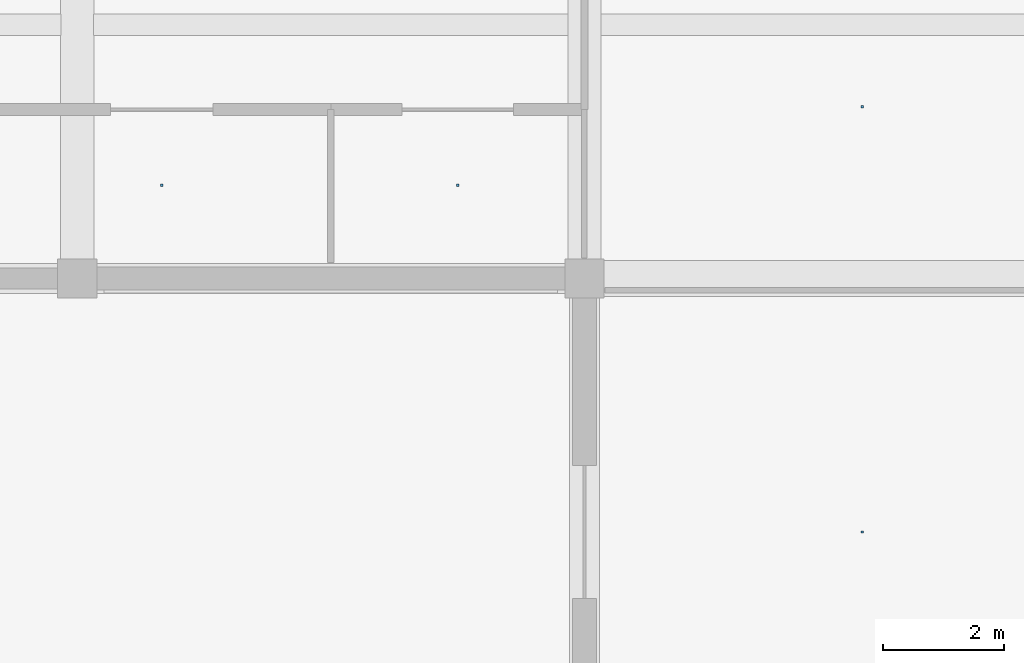
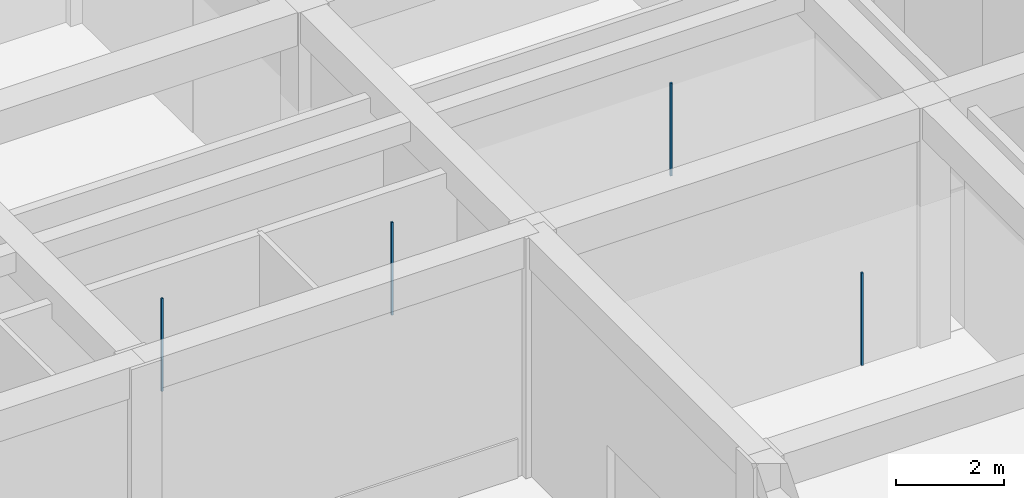
# One storey, part 122 of 167: 4 discrete accessories.
"""IFC4 building model written with IfcOpenShell, lengths in metres."""

import ifcopenshell
import ifcopenshell.guid

model = None  # the IFC model being written
_history = None  # IfcOwnerHistory: only IFC2X3 demands one
_inside = {}  # id of a spatial element -> (the spatial element, [elements in it])
_under = {}  # id of a project, library or spatial element -> (it, [spatial elements below it])
_declared = {}  # id of a project -> (the project, [libraries it declares])
_typed = {}  # id of a type object -> (the type object, [elements of that type])
_made_of = {}  # id of a material, layer set ... -> (it, [elements and type objects made of it])


def new_model(schema):
    """Start an empty IFC model of exactly this schema.

    Asked for "IFC4X3", IfcOpenShell would pick the latest addendum, in which some entities
    have other attributes; the version numbers below select the first issue.
    IFC2X3 requires an IfcOwnerHistory on every rooted entity: one is made here for all.
    """
    global model, _history
    if schema == "IFC4X3":
        model = ifcopenshell.file(schema_version=(4, 3, 0, 0))
    else:
        model = ifcopenshell.file(schema=schema)
    _inside.clear()
    _under.clear()
    _declared.clear()
    _typed.clear()
    _made_of.clear()
    _history = None
    if model.schema == "IFC2X3":
        org = make("IfcOrganization", Name="unknown")
        user = make(
            "IfcPersonAndOrganization",
            ThePerson=make("IfcPerson", FamilyName="unknown"),
            TheOrganization=org,
        )
        app = make(
            "IfcApplication",
            ApplicationDeveloper=org,
            Version="unknown",
            ApplicationFullName="unknown",
            ApplicationIdentifier="unknown",
        )
        _history = make(
            "IfcOwnerHistory",
            OwningUser=user,
            OwningApplication=app,
            ChangeAction="ADDED",
            CreationDate=0,
        )
    return model


def make(cls, **values):
    """One entity of the class cls with the attributes given. An attribute that is None is left unset."""
    return model.create_entity(
        cls, **{name: value for name, value in values.items() if value is not None}
    )


def rooted(cls, **values):
    """An entity with a GlobalId (a new one), such as an element, a storey or a relation."""
    return make(cls, GlobalId=ifcopenshell.guid.new(), OwnerHistory=_history, **values)


def si_unit(unit_type, name, prefix=None):
    """IfcSIUnit, for example si_unit("LENGTHUNIT", "METRE", prefix="MILLI")."""
    return make("IfcSIUnit", UnitType=unit_type, Prefix=prefix, Name=name)


def assignment(units):
    """IfcUnitAssignment: the units of a project."""
    return None if units is None else make("IfcUnitAssignment", Units=units)


def point(xyz):
    """IfcCartesianPoint."""
    return None if xyz is None else make("IfcCartesianPoint", Coordinates=xyz)


def direction(xyz):
    """IfcDirection."""
    return None if xyz is None else make("IfcDirection", DirectionRatios=xyz)


def frame(location, z_axis=None, x_axis=None):
    """IfcAxis2Placement3D, a coordinate frame: its origin and axes. An axis left out is left unset."""
    return make(
        "IfcAxis2Placement3D",
        Location=point(location),
        Axis=direction(z_axis),
        RefDirection=direction(x_axis),
    )


def frame_2d(location, x_axis=None):
    """IfcAxis2Placement2D, a coordinate frame in the plane: its origin and x axis."""
    return make(
        "IfcAxis2Placement2D", Location=point(location), RefDirection=direction(x_axis)
    )


def origin():
    """The frame at (0, 0, 0) with its axes left unset."""
    return frame((0.0, 0.0, 0.0))


def origin_2d():
    """The frame at (0, 0) in the plane with its x axis left unset."""
    return frame_2d((0.0, 0.0))


def place(relative_to, where):
    """IfcLocalPlacement: puts the frame where relative to a parent placement (None: the world)."""
    return make(
        "IfcLocalPlacement", PlacementRelTo=relative_to, RelativePlacement=where
    )


def context(
    kind, dimensions, precision=None, world=None, true_north=None, identifier=None
):
    """IfcGeometricRepresentationContext, for example the 3D "Model" context."""
    return make(
        "IfcGeometricRepresentationContext",
        ContextIdentifier=identifier,
        ContextType=kind,
        CoordinateSpaceDimension=dimensions,
        Precision=precision,
        WorldCoordinateSystem=world,
        TrueNorth=true_north,
    )


def subcontext(parent, identifier, kind, view, scale=None):
    """IfcGeometricRepresentationSubContext, for example "Body" below "Model"."""
    return make(
        "IfcGeometricRepresentationSubContext",
        ContextIdentifier=identifier,
        ContextType=kind,
        ParentContext=parent,
        TargetScale=scale,
        TargetView=view,
    )


def project(units=None, contexts=None):
    """IfcProject with its units and contexts."""
    return rooted(
        "IfcProject",
        Name="project",
        RepresentationContexts=contexts,
        UnitsInContext=assignment(units),
    )


def spatial(cls, under=None, at=None, **own):
    """A site, building, storey or space (cls), placed at a placement, below another one or the project."""
    s = rooted(cls, ObjectPlacement=at, **own)
    if under is not None:
        _under.setdefault(under.id(), (under, []))[1].append(s)
    return s


def profile(cls, at=None, kind="AREA", **sizes):
    """A parametric profile (cls). Its sizes go by their IFC names, for example OverallWidth=200.0."""
    return make(cls, ProfileType=kind, Position=at, **sizes)


def rectangle(**sizes):
    """IfcRectangleProfileDef."""
    return profile("IfcRectangleProfileDef", **sizes)


def extrude(swept, where, along, depth):
    """IfcExtrudedAreaSolid: the profile swept, set in the frame where, extruded along a direction by depth."""
    return make(
        "IfcExtrudedAreaSolid",
        SweptArea=swept,
        Position=where,
        ExtrudedDirection=direction(along),
        Depth=depth,
    )


def shape(context_of_items, identifier, shape_type, items):
    """IfcShapeRepresentation: the items that make up one representation, for example the "Body"."""
    return make(
        "IfcShapeRepresentation",
        ContextOfItems=context_of_items,
        RepresentationIdentifier=identifier,
        RepresentationType=shape_type,
        Items=items,
    )


def material(Name=None, Category=None):
    """IfcMaterial."""
    return make("IfcMaterial", Name=Name, Category=Category)


def made_of(thing, what):
    """Note that an element or type object is made of a material, layer set ...; save() writes the relation."""
    if what is not None:
        _made_of.setdefault(what.id(), (what, []))[1].append(thing)
    return thing


def type_object(cls, material=None, **own):
    """A type object (cls), such as IfcWallType, which elements share."""
    return made_of(rooted(cls, **own), material)


def element(
    cls,
    number,
    at=None,
    inside=None,
    cuts=None,
    type_object=None,
    material=None,
    context=None,
    identifier="Body",
    shape_type=None,
    held_by="IfcProductDefinitionShape",
    body=None,
    shapes=None,
    **own,
):
    """One element of the class cls, such as IfcWall. Its Tag is "e" and its number.

    at: its placement. inside: the storey or other place that contains it. cuts: it is an
    opening in that element (IfcRelVoidsElement). A single representation is given by context,
    identifier, shape_type and body (its items); several are given by shapes. held_by: the class
    of the entity that holds the representations. save() writes the other relations.
    """
    e = rooted(cls, Tag="e%d" % number, ObjectPlacement=at, **own)
    if body is not None:
        shapes = [shape(context, identifier, shape_type, body)]
    if shapes is not None:
        e.Representation = make(held_by, Representations=shapes)
    if inside is not None:
        _inside.setdefault(inside.id(), (inside, []))[1].append(e)
    if cuts is not None:
        rooted(
            "IfcRelVoidsElement", RelatingBuildingElement=cuts, RelatedOpeningElement=e
        )
    if type_object is not None:
        _typed.setdefault(type_object.id(), (type_object, []))[1].append(e)
    return made_of(e, material)


def aggregate(whole, parts):
    """IfcRelAggregates: a whole, such as a stair, and the parts it consists of."""
    return rooted("IfcRelAggregates", RelatingObject=whole, RelatedObjects=parts)


def save(model, path):
    """Write the relations noted so far, then the file.

    IfcRelAggregates (storeys below a building ...), IfcRelContainedInSpatialStructure (elements
    in a storey), IfcRelDefinesByType, IfcRelAssociatesMaterial and IfcRelDeclares: one each for
    every whole, place, type object, material and project.
    """
    for whole, parts in _under.values():
        aggregate(whole, parts)
    for where, things in _inside.values():
        rooted(
            "IfcRelContainedInSpatialStructure",
            RelatedElements=things,
            RelatingStructure=where,
        )
    for kind, things in _typed.values():
        rooted("IfcRelDefinesByType", RelatedObjects=things, RelatingType=kind)
    for what, things in _made_of.values():
        rooted("IfcRelAssociatesMaterial", RelatedObjects=things, RelatingMaterial=what)
    for by, libraries in _declared.values():
        rooted("IfcRelDeclares", RelatingContext=by, RelatedDefinitions=libraries)
    model.write(path)


model = new_model("IFC4")

# Units and contexts
model_context = context("Model", 3, precision=1e-05, world=origin(), true_north=direction((0.0, 1.0)))
body_context = subcontext(model_context, "Body", "Model", "MODEL_VIEW")
ifc_project = project(units=[si_unit("LENGTHUNIT", "METRE"), si_unit("AREAUNIT", "SQUARE_METRE"), si_unit("VOLUMEUNIT", "CUBIC_METRE"), si_unit("PLANEANGLEUNIT", "RADIAN"), si_unit("MASSUNIT", "GRAM", prefix="KILO")], contexts=[model_context])

# Site, building, storey
site_placement = place(None, origin())
site = spatial("IfcSite", under=ifc_project, at=site_placement, CompositionType="ELEMENT")
building_placement = place(site_placement, origin())
building = spatial("IfcBuilding", under=site, at=building_placement, Name="Varncliffe General Hospital", CompositionType="ELEMENT")
storey_placement = place(building_placement, origin())
storey = spatial("IfcBuildingStorey", under=building, at=storey_placement, Name="L00", CompositionType="ELEMENT", Elevation=0.0)

# Discrete accessories
ifc_material = material(Name="Powder-coated hospital steel guardrail and handrail", Category="steel")
discrete_accessory_type = type_object("IfcDiscreteAccessoryType", Name="Suspended Ceiling Hanger Bracket CH01", PredefinedType="BRACKET", material=ifc_material)
for number, where, z_axis, x_axis, name in (
    (1, (155.800048828125, 19.800048828125, 3.18994140625), (0.0, 0.0, 1.0), (1.0, 0.0, 0.0), "L00 Suspended Ceiling Hanger 61"),
    (2, (155.800048828125, 26.842529296875, 3.18994140625), (0.0, 0.0, 1.0), (1.0, 0.0, 0.0), "L00 Suspended Ceiling Hanger 62"),
    (3, (144.199951171875, 25.54248046875, 3.18994140625), (0.0, 0.0, 1.0), (1.0, 0.0, 0.0), "L00 Suspended Ceiling Hanger 83"),
    (4, (149.10009765625, 25.54248046875, 3.18994140625), (0.0, 0.0, 1.0), (1.0, 0.0, 0.0), "L00 Suspended Ceiling Hanger 84"),
):
    element("IfcDiscreteAccessory", number, at=place(storey_placement, frame(where, z_axis=z_axis, x_axis=x_axis)), inside=storey, type_object=discrete_accessory_type, Name=name, PredefinedType="BRACKET", context=body_context, shape_type="SweptSolid", body=[
        extrude(rectangle(XDim=0.0400390625, YDim=0.0400390625, at=origin_2d()), origin(), (0.0, 0.0, 1.0), 2.090087890625),
    ])

save(model, "model.ifc")
